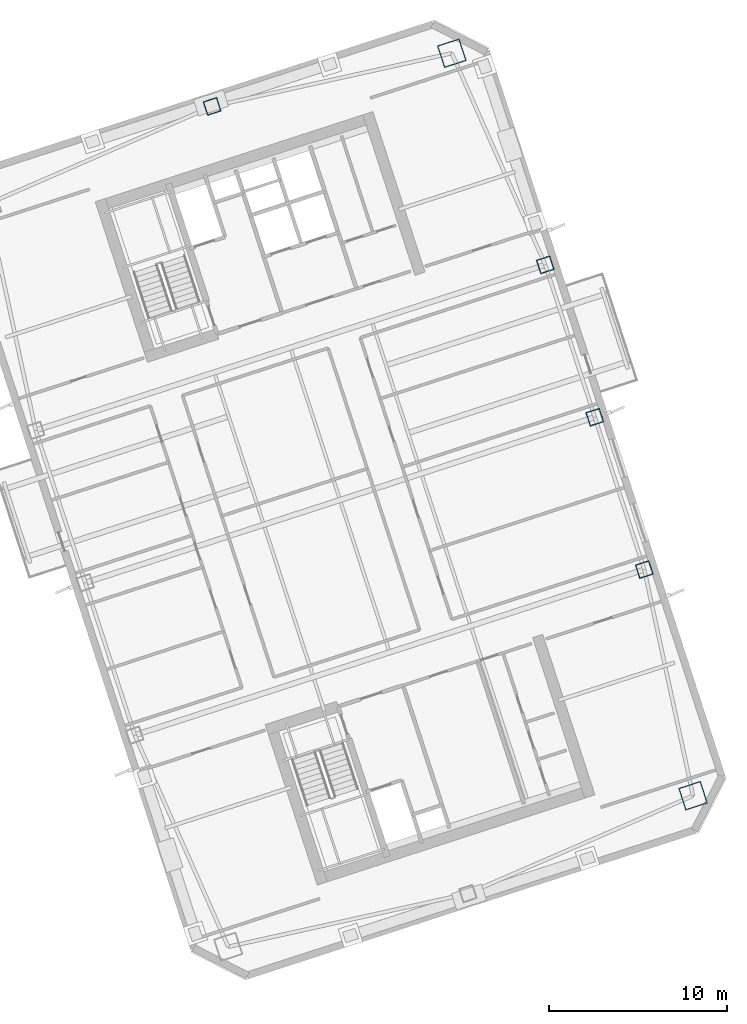
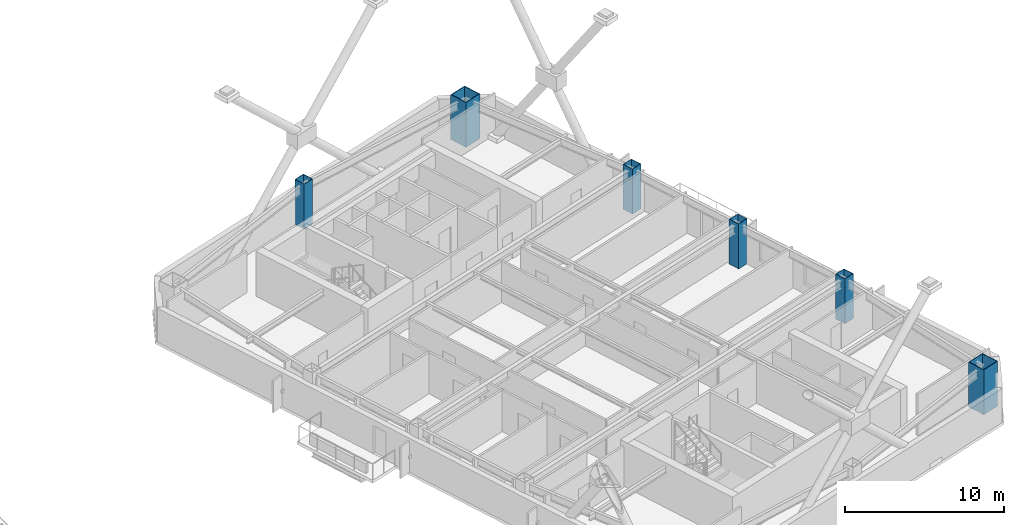
# One storey, part 2 of 18: 6 columns.
"""IFC4 building model written with IfcOpenShell, lengths in metres."""

from ifc_helpers import new_model, si_unit, direction, frame, origin, origin_2d, place, context, subcontext, project, spatial, hollow_rectangle, extrude, material, material_profile, profile_set, type_object, element, save


model = new_model("IFC4")

# Units and contexts
model_context = context("Model", 3, precision=1e-05, world=origin(), true_north=direction((0.0, 1.0)))
body_context = subcontext(model_context, "Body", "Model", "MODEL_VIEW")
ifc_project = project(units=[si_unit("LENGTHUNIT", "METRE"), si_unit("AREAUNIT", "SQUARE_METRE"), si_unit("VOLUMEUNIT", "CUBIC_METRE"), si_unit("PLANEANGLEUNIT", "RADIAN"), si_unit("MASSUNIT", "GRAM", prefix="KILO")], contexts=[model_context])

# Site, building, storey
site_placement = place(None, origin())
site = spatial("IfcSite", under=ifc_project, at=site_placement, CompositionType="ELEMENT")
building_placement = place(site_placement, origin())
building = spatial("IfcBuilding", under=site, at=building_placement, Name="Qiaolan Cultural Towers", CompositionType="ELEMENT")
storey_placement = place(building_placement, frame((0.0, 0.0, 163.300048828125)))
storey = spatial("IfcBuildingStorey", under=building, at=storey_placement, Name="L43", CompositionType="ELEMENT", Elevation=163.300048828125)

# Columns
ifc_material_1 = material(Name="Steel Q390GJB", Category="steel")
ifc_material_profile_1 = material_profile(ifc_material_1, hollow_rectangle(XDim=1.300048828125, YDim=1.300048828125, WallThickness=0.044921875, at=origin_2d()), Name="BOX1300x1300x45")
ifc_profile_set_1 = profile_set([ifc_material_profile_1], Name="Steel Q390GJB")
column_type_1 = type_object("IfcColumnType", Name="COL-BOX1300x1300x45", PredefinedType="COLUMN", material=ifc_profile_set_1)
for number, where, z_axis, x_axis, name in (
    (1, (109.834716796875, 17.38623046875, 0.0), (0.0, 0.0, 1.0), (0.951056516295, 0.309016994375, 0.0), "L43 T2 Perimeter Column MC-SE"),
    (2, (96.28125, 59.099365234375, 0.0), (0.0, 0.0, 1.0), (0.951056516295, 0.309016994375, 0.0), "L43 T2 Perimeter Column MC-NE"),
):
    element("IfcColumn", number, at=place(storey_placement, frame(where, z_axis=z_axis, x_axis=x_axis)), inside=storey, type_object=column_type_1, Name=name, PredefinedType="COLUMN", context=body_context, shape_type="SweptSolid", body=[
        extrude(hollow_rectangle(XDim=1.300048828125, YDim=1.300048828125, WallThickness=0.044921875, at=origin_2d()), origin(), (0.0, 0.0, 1.0), 3.450927734375),
    ])
ifc_material_2 = material(Name="Steel Q355B", Category="steel")
ifc_material_profile_2 = material_profile(ifc_material_2, hollow_rectangle(XDim=0.800048828125, YDim=0.800048828125, WallThickness=0.028076171875, at=origin_2d()), Name="BOX800x800x28")
ifc_profile_set_2 = profile_set([ifc_material_profile_2], Name="Steel Q355B")
column_type_2 = type_object("IfcColumnType", Name="COL-BOX800x800x28", PredefinedType="COLUMN", material=ifc_profile_set_2)
for number, where, z_axis, x_axis, name in (
    (3, (107.094482421875, 30.09130859375, 0.0), (0.0, 0.0, 1.0), (0.951056516295, 0.309016994375, 0.0), "L43 T2 Perimeter Column PC-E1"),
    (4, (104.3134765625, 38.650634765625, 0.0), (0.0, 0.0, 1.0), (0.951056516295, 0.309016994375, 0.0), "L43 T2 Perimeter Column PC-E2"),
    (5, (101.5322265625, 47.210205078125, 0.0), (0.0, 0.0, 1.0), (0.951056516295, 0.309016994375, 0.0), "L43 T2 Perimeter Column PC-E3"),
    (6, (82.8154296875, 56.112060546875, 0.0), (0.0, 0.0, 1.0), (0.951056516295, 0.309016994375, 0.0), "L43 T2 Perimeter Column PC-N0"),
):
    element("IfcColumn", number, at=place(storey_placement, frame(where, z_axis=z_axis, x_axis=x_axis)), inside=storey, type_object=column_type_2, Name=name, PredefinedType="COLUMN", context=body_context, shape_type="SweptSolid", body=[
        extrude(hollow_rectangle(XDim=0.800048828125, YDim=0.800048828125, WallThickness=0.028076171875, at=origin_2d()), origin(), (0.0, 0.0, 1.0), 3.450927734375),
    ])

save(model, "model.ifc")
